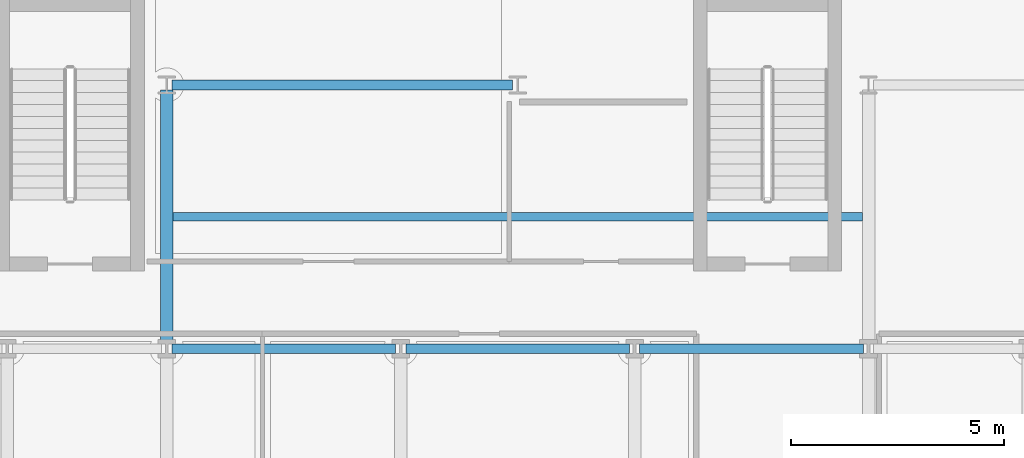
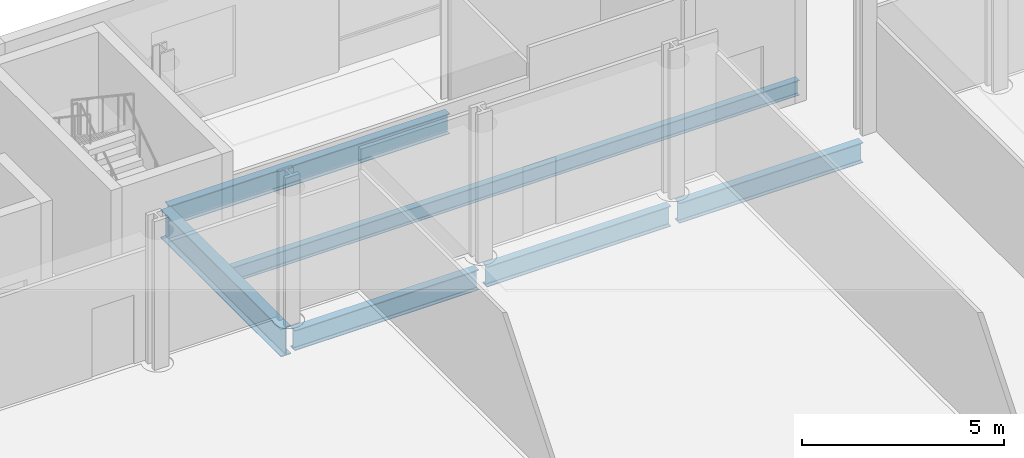
# One storey, part 7 of 26: 6 beams.
"""IFC4 building model written with IfcOpenShell, lengths in metres."""

from ifc_helpers import new_model, si_unit, direction, frame, origin, origin_2d, place, context, subcontext, project, spatial, i_section, extrude, material, material_profile, profile_set, type_object, element, save


model = new_model("IFC4")

# Units and contexts
model_context = context("Model", 3, precision=1e-05, world=origin(), true_north=direction((0.0, 1.0)))
body_context = subcontext(model_context, "Body", "Model", "MODEL_VIEW")
ifc_project = project(units=[si_unit("LENGTHUNIT", "METRE"), si_unit("AREAUNIT", "SQUARE_METRE"), si_unit("VOLUMEUNIT", "CUBIC_METRE"), si_unit("PLANEANGLEUNIT", "RADIAN"), si_unit("MASSUNIT", "GRAM", prefix="KILO")], contexts=[model_context])

# Site, building, storey
site_placement = place(None, origin())
site = spatial("IfcSite", under=ifc_project, at=site_placement, CompositionType="ELEMENT")
building_placement = place(site_placement, origin())
building = spatial("IfcBuilding", under=site, at=building_placement, Name="Brevholm Reach", CompositionType="ELEMENT")
storey_placement = place(building_placement, frame((0.0, 0.0, 18.0)))
storey = spatial("IfcBuildingStorey", under=building, at=storey_placement, Name="L04", CompositionType="ELEMENT", Elevation=18.0)

# Beams
ifc_material_1 = material(Name="Structural Steel S355J2", Category="steel")
ifc_material_profile_1 = material_profile(ifc_material_1, i_section(OverallWidth=0.1904296875, OverallDepth=0.45703125, WebThickness=0.009033203125, FlangeThickness=0.014404296875, FilletRadius=0.01025390625, at=origin_2d()), Name="UKB 457x191x74")
ifc_profile_set_1 = profile_set([ifc_material_profile_1], Name="Structural Steel S355J2")
beam_type_1 = type_object("IfcBeamType", Name="BM-B457", PredefinedType="BEAM", material=ifc_profile_set_1)
beam_1_placement = place(storey_placement, frame((21.89697265625, 34.10009765625, -0.508544921875), z_axis=(1.0, 0.0, 0.0), x_axis=(0.0, 1.0, 0.0)))
element("IfcBeam", 1, at=beam_1_placement, inside=storey, type_object=beam_type_1, Name="L04 Composite Secondary Floor Beam", PredefinedType="BEAM", context=body_context, shape_type="SweptSolid", body=[
    extrude(i_section(OverallWidth=0.1904296875, OverallDepth=0.45703125, WebThickness=0.009033203125, FlangeThickness=0.014404296875, FilletRadius=0.01025390625, at=origin_2d()), origin(), (0.0, 0.0, 1.0), 16.2060546875),
])
ifc_material_2 = material(Name="Structural Steel S355J2", Category="steel")
ifc_material_profile_2 = material_profile(ifc_material_2, i_section(OverallWidth=0.22900390625, OverallDepth=0.6123046875, WebThickness=0.011962890625, FlangeThickness=0.01953125, FilletRadius=0.0126953125, at=origin_2d()), Name="UKB 610x229x125")
ifc_profile_set_2 = profile_set([ifc_material_profile_2], Name="Structural Steel S355J2")
beam_type_2 = type_object("IfcBeamType", Name="BM-SP610", PredefinedType="SPANDREL", material=ifc_profile_set_2)
for number, where, z_axis, x_axis, name in (
    (2, (21.8701171875, 31.0, -0.586181640625), (1.0, 0.0, 0.0), (0.0, 1.0, 0.0), "L04 SP-01 Framing Beam"),
    (3, (27.3701171875, 31.0, -0.586181640625), (1.0, 0.0, 0.0), (0.0, 1.0, 0.0), "L04 SP-01 Framing Beam"),
    (4, (32.8701171875, 31.0, -0.586181640625), (1.0, 0.0, 0.0), (0.0, 1.0, 0.0), "L04 SP-01 Framing Beam"),
):
    element("IfcBeam", number, at=place(storey_placement, frame(where, z_axis=z_axis, x_axis=x_axis)), inside=storey, type_object=beam_type_2, Name=name, PredefinedType="SPANDREL", context=body_context, shape_type="SweptSolid", body=[
        extrude(i_section(OverallWidth=0.22900390625, OverallDepth=0.6123046875, WebThickness=0.011962890625, FlangeThickness=0.01953125, FilletRadius=0.0126953125, at=origin_2d()), origin(), (0.0, 0.0, 1.0), 5.259765625),
    ])
beam_2_placement = place(storey_placement, frame((21.8701171875, 37.199951171875, -0.586181640625), z_axis=(1.0, 0.0, 0.0), x_axis=(0.0, 1.0, 0.0)))
element("IfcBeam", 5, at=beam_2_placement, inside=storey, type_object=beam_type_2, Name="L04 SP-01 Framing Beam", PredefinedType="SPANDREL", context=body_context, shape_type="SweptSolid", body=[
    extrude(i_section(OverallWidth=0.22900390625, OverallDepth=0.6123046875, WebThickness=0.011962890625, FlangeThickness=0.01953125, FilletRadius=0.0126953125, at=origin_2d()), origin(), (0.0, 0.0, 1.0), 8.009765625),
])
ifc_material_3 = material(Name="Structural Steel S355J2", Category="steel")
ifc_material_profile_3 = material_profile(ifc_material_3, i_section(OverallWidth=0.293701171875, OverallDepth=0.850830078125, WebThickness=0.01611328125, FlangeThickness=0.02685546875, FilletRadius=0.017822265625, at=origin_2d()), Name="UKB 838x292x226")
ifc_profile_set_3 = profile_set([ifc_material_profile_3], Name="Structural Steel S355J2")
beam_type_3 = type_object("IfcBeamType", Name="BM-UKB838", PredefinedType="USERDEFINED", material=ifc_profile_set_3)
beam_3_placement = place(storey_placement, frame((21.75, 31.1201171875, -0.70556640625), z_axis=(0.0, 1.0, 0.0), x_axis=(-1.0, 0.0, 0.0)))
element("IfcBeam", 6, at=beam_3_placement, inside=storey, type_object=beam_type_3, Name="L04 G-03 Framing Beam", ObjectType="GIRDER", PredefinedType="USERDEFINED", context=body_context, shape_type="SweptSolid", body=[
    extrude(i_section(OverallWidth=0.293701171875, OverallDepth=0.850830078125, WebThickness=0.01611328125, FlangeThickness=0.02685546875, FilletRadius=0.017822265625, at=origin_2d()), origin(), (0.0, 0.0, 1.0), 5.9599609375),
])

save(model, "model.ifc")
